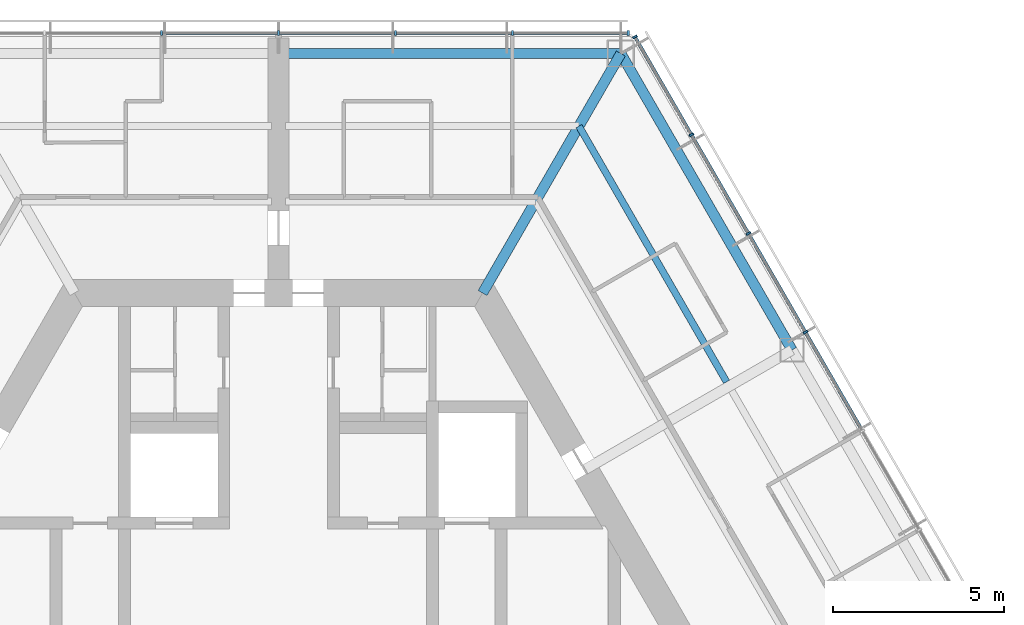
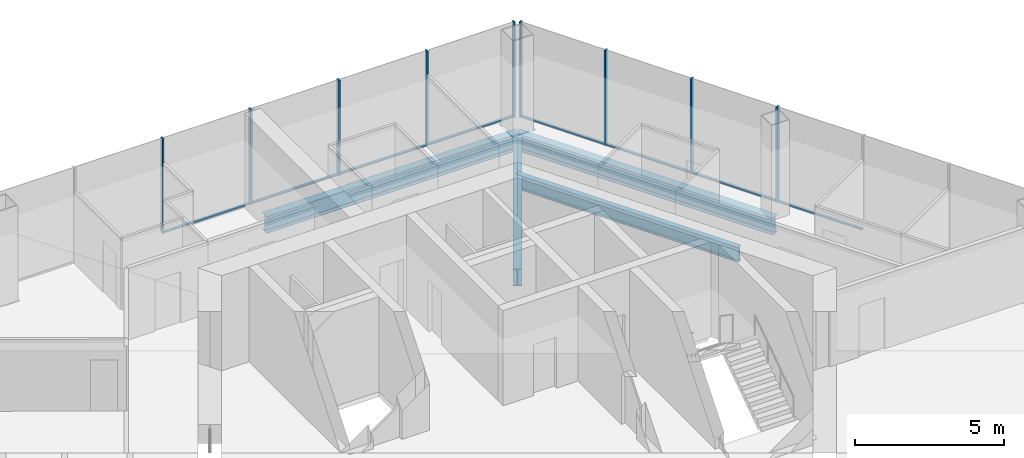
# One storey, part 7 of 14: 17 members, 4 beams, 2 elements without a shape of their own.
"""IFC4 building model written with IfcOpenShell, lengths in metres."""

from ifc_helpers import new_model, si_unit, direction, frame, origin, origin_2d, place, context, subcontext, project, spatial, rectangle, i_section, extrude, material, material_profile, profile_set, type_object, element, aggregate, save


model = new_model("IFC4")

# Units and contexts
model_context = context("Model", 3, precision=1e-05, world=origin(), true_north=direction((0.0, 1.0)))
body_context = subcontext(model_context, "Body", "Model", "MODEL_VIEW")
ifc_project = project(units=[si_unit("LENGTHUNIT", "METRE"), si_unit("AREAUNIT", "SQUARE_METRE"), si_unit("VOLUMEUNIT", "CUBIC_METRE"), si_unit("PLANEANGLEUNIT", "RADIAN"), si_unit("MASSUNIT", "GRAM", prefix="KILO")], contexts=[model_context])

# Site, building, storey
site_placement = place(None, origin())
site = spatial("IfcSite", under=ifc_project, at=site_placement, CompositionType="ELEMENT")
building_placement = place(site_placement, origin())
building = spatial("IfcBuilding", under=site, at=building_placement, Name="Kasaneha Research Tower", CompositionType="ELEMENT")
storey_placement = place(building_placement, frame((0.0, 0.0, 216.699951171875)))
storey = spatial("IfcBuildingStorey", under=building, at=storey_placement, Name="L54", CompositionType="ELEMENT", Elevation=216.699951171875)

# Beam
ifc_material_1 = material(Name="Steel SN490B", Category="steel")
ifc_material_profile_1 = material_profile(ifc_material_1, i_section(OverallWidth=0.199951171875, OverallDepth=0.60009765625, WebThickness=0.010986328125, FlangeThickness=0.01708984375, FilletRadius=0.012939453125, at=origin_2d()), Name="H-600x200x11x17")
ifc_profile_set_1 = profile_set([ifc_material_profile_1], Name="Steel SN490B")
beam_type_1 = type_object("IfcBeamType", Name="B1-3 secondary beam H-600x200x11x17", PredefinedType="JOIST", material=ifc_profile_set_1)
beam_1_placement = place(storey_placement, frame((8.775634765625, 15.199951171875, -0.449951171875), z_axis=(0.500017275495, -0.866015429543, 0.0), x_axis=(0.866015429543, 0.500017275495, 0.0)))
element("IfcBeam", 1, at=beam_1_placement, inside=storey, type_object=beam_type_1, Name="Secondary beam RS030R2 L54", PredefinedType="JOIST", context=body_context, shape_type="SweptSolid", body=[
    extrude(i_section(OverallWidth=0.199951171875, OverallDepth=0.60009765625, WebThickness=0.010986328125, FlangeThickness=0.01708984375, FilletRadius=0.012939453125, at=origin_2d()), origin(), (0.0, 0.0, 1.0), 8.625732421875),
])

# Curtain wall, members
ifc_material_2 = material(Name="Glass and aluminium", Category="aluminium")
curtain_wall_type = type_object("IfcCurtainWallType", Name="High-rise office curtain wall", PredefinedType="USERDEFINED", material=ifc_material_2)
curtain_wall_1_placement = place(storey_placement, origin())
curtain_wall_1 = element("IfcCurtainWall", 2, at=curtain_wall_1_placement, inside=storey, type_object=curtain_wall_type, Name="CW-O3 L54 run 01a", ObjectType="UNITISED CURTAIN WALL", PredefinedType="USERDEFINED")
ifc_material_3 = material(Name="Aluminium 6063-T6", Category="aluminium")
ifc_material_profile_2 = material_profile(ifc_material_3, rectangle(XDim=0.06005859375, YDim=0.139892578125, at=origin_2d()), Name="CW-O3 mullion 60x140")
ifc_profile_set_2 = profile_set([ifc_material_profile_2], Name="Aluminium 6063-T6")
member_type_1 = type_object("IfcMemberType", Name="CW-O3 mullion", PredefinedType="MULLION", material=ifc_profile_set_2)
member_1_placement = place(storey_placement, frame((15.392822265625, 9.179931640625, 0.0), z_axis=(0.0, 0.0, 1.0), x_axis=(-0.499999979232, 0.866025415775, 0.0)))
member_1 = element("IfcMember", 3, at=member_1_placement, type_object=member_type_1, Name="CW-O3 mullion 4", PredefinedType="MULLION", context=body_context, shape_type="SweptSolid", body=[
    extrude(rectangle(XDim=0.06005859375, YDim=0.139892578125, at=origin_2d()), origin(), (0.0, 0.0, 1.0), 3.900146484375),
])
member_2_placement = place(storey_placement, frame((13.727294921875, 12.064453125, 0.0), z_axis=(0.0, 0.0, 1.0), x_axis=(-0.499999979232, 0.866025415775, 0.0)))
member_2 = element("IfcMember", 4, at=member_2_placement, type_object=member_type_1, Name="CW-O3 mullion 5", PredefinedType="MULLION", context=body_context, shape_type="SweptSolid", body=[
    extrude(rectangle(XDim=0.06005859375, YDim=0.139892578125, at=origin_2d()), origin(), (0.0, 0.0, 1.0), 3.900146484375),
])
member_3_placement = place(storey_placement, frame((12.061767578125, 14.94921875, 0.0), z_axis=(0.0, 0.0, 1.0), x_axis=(-0.499999979232, 0.866025415775, 0.0)))
member_3 = element("IfcMember", 5, at=member_3_placement, type_object=member_type_1, Name="CW-O3 mullion 6", PredefinedType="MULLION", context=body_context, shape_type="SweptSolid", body=[
    extrude(rectangle(XDim=0.06005859375, YDim=0.139892578125, at=origin_2d()), origin(), (0.0, 0.0, 1.0), 3.900146484375),
])
member_4_placement = place(storey_placement, frame((10.411376953125, 17.807861328125, 0.0), z_axis=(0.0, 0.0, 1.0), x_axis=(-0.499999979232, 0.866025415775, 0.0)))
member_4 = element("IfcMember", 6, at=member_4_placement, type_object=member_type_1, Name="CW-O3 mullion 7", PredefinedType="MULLION", context=body_context, shape_type="SweptSolid", body=[
    extrude(rectangle(XDim=0.06005859375, YDim=0.139892578125, at=origin_2d()), origin(), (0.0, 0.0, 1.0), 3.900146484375),
])

curtain_wall_2_placement = place(storey_placement, origin())
curtain_wall_2 = element("IfcCurtainWall", 7, at=curtain_wall_2_placement, inside=storey, type_object=curtain_wall_type, Name="CW-O3 L54 run 02a", ObjectType="UNITISED CURTAIN WALL", PredefinedType="USERDEFINED")
member_5_placement = place(storey_placement, frame((10.21630859375, 17.92041015625, 0.0), z_axis=(0.0, 0.0, 1.0), x_axis=(-1.0, 0.0, 0.0)))
member_5 = element("IfcMember", 8, at=member_5_placement, type_object=member_type_1, Name="CW-O3 mullion 1", PredefinedType="MULLION", context=body_context, shape_type="SweptSolid", body=[
    extrude(rectangle(XDim=0.06005859375, YDim=0.139892578125, at=origin_2d()), origin(), (0.0, 0.0, 1.0), 3.900146484375),
])
member_6_placement = place(storey_placement, frame((6.8310546875, 17.92041015625, 0.0), z_axis=(0.0, 0.0, 1.0), x_axis=(-1.0, 0.0, 0.0)))
member_6 = element("IfcMember", 9, at=member_6_placement, type_object=member_type_1, Name="CW-O3 mullion 2", PredefinedType="MULLION", context=body_context, shape_type="SweptSolid", body=[
    extrude(rectangle(XDim=0.06005859375, YDim=0.139892578125, at=origin_2d()), origin(), (0.0, 0.0, 1.0), 3.900146484375),
])
member_7_placement = place(storey_placement, frame((3.41552734375, 17.92041015625, 0.0), z_axis=(0.0, 0.0, 1.0), x_axis=(-1.0, 0.0, 0.0)))
member_7 = element("IfcMember", 10, at=member_7_placement, type_object=member_type_1, Name="CW-O3 mullion 3", PredefinedType="MULLION", context=body_context, shape_type="SweptSolid", body=[
    extrude(rectangle(XDim=0.06005859375, YDim=0.139892578125, at=origin_2d()), origin(), (0.0, 0.0, 1.0), 3.900146484375),
])
member_8_placement = place(storey_placement, frame((0.0, 17.92041015625, 0.0), z_axis=(0.0, 0.0, 1.0), x_axis=(-1.0, 0.0, 0.0)))
member_8 = element("IfcMember", 11, at=member_8_placement, type_object=member_type_1, Name="CW-O3 mullion 4", PredefinedType="MULLION", context=body_context, shape_type="SweptSolid", body=[
    extrude(rectangle(XDim=0.06005859375, YDim=0.139892578125, at=origin_2d()), origin(), (0.0, 0.0, 1.0), 3.900146484375),
])
member_9_placement = place(storey_placement, frame((-3.41552734375, 17.92041015625, 0.0), z_axis=(0.0, 0.0, 1.0), x_axis=(-1.0, 0.0, 0.0)))
member_9 = element("IfcMember", 12, at=member_9_placement, type_object=member_type_1, Name="CW-O3 mullion 5", PredefinedType="MULLION", context=body_context, shape_type="SweptSolid", body=[
    extrude(rectangle(XDim=0.06005859375, YDim=0.139892578125, at=origin_2d()), origin(), (0.0, 0.0, 1.0), 3.900146484375),
])

# Member
ifc_material_4 = material(Name="Aluminium 6063-T6", Category="aluminium")
ifc_material_profile_3 = material_profile(ifc_material_4, rectangle(XDim=0.10009765625, YDim=0.06005859375, at=origin_2d()), Name="CW-O3 transom 100x60")
ifc_profile_set_3 = profile_set([ifc_material_profile_3], Name="Aluminium 6063-T6")
member_type_2 = type_object("IfcMemberType", Name="CW-O3 transom", PredefinedType="USERDEFINED", material=ifc_profile_set_3)
member_10_placement = place(storey_placement, frame((17.043212890625, 6.3212890625, 0.030029296875), z_axis=(-0.50003259116, 0.866006586452, 0.0), x_axis=(-0.866006586452, -0.50003259116, 0.0)))
member_10 = element("IfcMember", 13, at=member_10_placement, type_object=member_type_2, Name="CW-O3 transom 3", ObjectType="TRANSOM", PredefinedType="USERDEFINED", context=body_context, shape_type="SweptSolid", body=[
    extrude(rectangle(XDim=0.10009765625, YDim=0.06005859375, at=origin_2d()), origin(), (0.0, 0.0, 1.0), 3.270751953125),
])

member_11_placement = place(storey_placement, frame((15.3779296875, 9.205810546875, 0.030029296875), z_axis=(-0.500000270186, 0.866025247793, 0.0), x_axis=(-0.866025247793, -0.500000270186, 0.0)))
member_11 = element("IfcMember", 14, at=member_11_placement, type_object=member_type_2, Name="CW-O3 transom 4", ObjectType="TRANSOM", PredefinedType="USERDEFINED", context=body_context, shape_type="SweptSolid", body=[
    extrude(rectangle(XDim=0.10009765625, YDim=0.06005859375, at=origin_2d()), origin(), (0.0, 0.0, 1.0), 3.27099609375),
])

member_12_placement = place(storey_placement, frame((13.71240234375, 12.090576171875, 0.030029296875), z_axis=(-0.500000270186, 0.866025247793, 0.0), x_axis=(-0.866025247793, -0.500000270186, 0.0)))
member_12 = element("IfcMember", 15, at=member_12_placement, type_object=member_type_2, Name="CW-O3 transom 5", ObjectType="TRANSOM", PredefinedType="USERDEFINED", context=body_context, shape_type="SweptSolid", body=[
    extrude(rectangle(XDim=0.10009765625, YDim=0.06005859375, at=origin_2d()), origin(), (0.0, 0.0, 1.0), 3.27099609375),
])

member_13_placement = place(storey_placement, frame((12.046875, 14.97509765625, 0.030029296875), z_axis=(-0.499955025697, 0.866051368154, 0.0), x_axis=(-0.866051368154, -0.499955025697, 0.0)))
member_13 = element("IfcMember", 16, at=member_13_placement, type_object=member_type_2, Name="CW-O3 transom 6", ObjectType="TRANSOM", PredefinedType="USERDEFINED", context=body_context, shape_type="SweptSolid", body=[
    extrude(rectangle(XDim=0.10009765625, YDim=0.06005859375, at=origin_2d()), origin(), (0.0, 0.0, 1.0), 3.240966796875),
])

aggregate(curtain_wall_1, [member_1, member_2, member_3, member_4, member_10, member_11, member_12, member_13])

member_14_placement = place(storey_placement, frame((10.1865234375, 17.92041015625, 0.030029296875), z_axis=(-1.0, 0.0, 0.0), x_axis=(0.0, -1.0, 0.0)))
member_14 = element("IfcMember", 17, at=member_14_placement, type_object=member_type_2, Name="CW-O3 transom 1", ObjectType="TRANSOM", PredefinedType="USERDEFINED", context=body_context, shape_type="SweptSolid", body=[
    extrude(rectangle(XDim=0.10009765625, YDim=0.06005859375, at=origin_2d()), origin(), (0.0, 0.0, 1.0), 3.32568359375),
])

member_15_placement = place(storey_placement, frame((6.801025390625, 17.92041015625, 0.030029296875), z_axis=(-1.0, 0.0, 0.0), x_axis=(0.0, -1.0, 0.0)))
member_15 = element("IfcMember", 18, at=member_15_placement, type_object=member_type_2, Name="CW-O3 transom 2", ObjectType="TRANSOM", PredefinedType="USERDEFINED", context=body_context, shape_type="SweptSolid", body=[
    extrude(rectangle(XDim=0.10009765625, YDim=0.06005859375, at=origin_2d()), origin(), (0.0, 0.0, 1.0), 3.35546875),
])

member_16_placement = place(storey_placement, frame((3.385498046875, 17.92041015625, 0.030029296875), z_axis=(-1.0, 0.0, 0.0), x_axis=(0.0, -1.0, 0.0)))
member_16 = element("IfcMember", 19, at=member_16_placement, type_object=member_type_2, Name="CW-O3 transom 3", ObjectType="TRANSOM", PredefinedType="USERDEFINED", context=body_context, shape_type="SweptSolid", body=[
    extrude(rectangle(XDim=0.10009765625, YDim=0.06005859375, at=origin_2d()), origin(), (0.0, 0.0, 1.0), 3.35546875),
])

member_17_placement = place(storey_placement, frame((-0.030029296875, 17.92041015625, 0.030029296875), z_axis=(-1.0, 0.0, 0.0), x_axis=(0.0, -1.0, 0.0)))
member_17 = element("IfcMember", 20, at=member_17_placement, type_object=member_type_2, Name="CW-O3 transom 4", ObjectType="TRANSOM", PredefinedType="USERDEFINED", context=body_context, shape_type="SweptSolid", body=[
    extrude(rectangle(XDim=0.10009765625, YDim=0.06005859375, at=origin_2d()), origin(), (0.0, 0.0, 1.0), 3.35546875),
])

aggregate(curtain_wall_2, [member_5, member_6, member_7, member_8, member_9, member_14, member_15, member_16, member_17])

# Beams
ifc_material_5 = material(Name="Steel SN490B", Category="steel")
ifc_material_profile_4 = material_profile(ifc_material_5, i_section(OverallWidth=0.300048828125, OverallDepth=0.699951171875, WebThickness=0.012939453125, FlangeThickness=0.02392578125, FilletRadius=0.01806640625, at=origin_2d()), Name="H-700x300x13x24")
ifc_profile_set_4 = profile_set([ifc_material_profile_4], Name="Steel SN490B")
beam_type_2 = type_object("IfcBeamType", Name="G1-3 radial girder H-700x300x13x24", PredefinedType="BEAM", material=ifc_profile_set_4)
beam_2_placement = place(storey_placement, frame((5.961181640625, 10.324951171875, -0.5), z_axis=(0.49999105496, 0.866030568144, 0.0), x_axis=(-0.866030568144, 0.49999105496, 0.0)))
element("IfcBeam", 21, at=beam_2_placement, inside=storey, type_object=beam_type_2, Name="Radial girder RV060 L54", PredefinedType="BEAM", context=body_context, shape_type="SweptSolid", body=[
    extrude(i_section(OverallWidth=0.300048828125, OverallDepth=0.699951171875, WebThickness=0.012939453125, FlangeThickness=0.02392578125, FilletRadius=0.01806640625, at=origin_2d()), origin(), (0.0, 0.0, 1.0), 8.077880859375),
])
ifc_material_6 = material(Name="Steel SN490B", Category="steel")
ifc_material_profile_5 = material_profile(ifc_material_6, i_section(OverallWidth=0.300048828125, OverallDepth=0.69189453125, WebThickness=0.012939453125, FlangeThickness=0.02001953125, FilletRadius=0.01806640625, at=origin_2d()), Name="H-692x300x13x20")
ifc_profile_set_5 = profile_set([ifc_material_profile_5], Name="Steel SN490B")
beam_type_3 = type_object("IfcBeamType", Name="G3-3 plate edge girder H-692x300x13x20", PredefinedType="BEAM", material=ifc_profile_set_5)
beam_3_placement = place(storey_placement, frame((10.0, 17.320556640625, -0.495849609375), z_axis=(-1.0, 0.0, 0.0), x_axis=(0.0, -1.0, 0.0)))
element("IfcBeam", 22, at=beam_3_placement, inside=storey, type_object=beam_type_3, Name="Plate edge girder PEAP L54", PredefinedType="BEAM", context=body_context, shape_type="SweptSolid", body=[
    extrude(i_section(OverallWidth=0.300048828125, OverallDepth=0.69189453125, WebThickness=0.012939453125, FlangeThickness=0.02001953125, FilletRadius=0.01806640625, at=origin_2d()), origin(), (0.0, 0.0, 1.0), 9.800048828125),
])
ifc_material_7 = material(Name="Steel SN490B", Category="steel")
ifc_material_profile_6 = material_profile(ifc_material_7, i_section(OverallWidth=0.300048828125, OverallDepth=0.69189453125, WebThickness=0.012939453125, FlangeThickness=0.02001953125, FilletRadius=0.01806640625, at=origin_2d()), Name="H-692x300x13x20")
ifc_profile_set_6 = profile_set([ifc_material_profile_6], Name="Steel SN490B")
beam_type_4 = type_object("IfcBeamType", Name="SB1-3 spandrel beam H-692x300x13x20", PredefinedType="SPANDREL", material=ifc_profile_set_6)
beam_4_placement = place(storey_placement, frame((10.0, 17.320556640625, -0.495849609375), z_axis=(0.499993662806, -0.866029062534, 0.0), x_axis=(0.866029062534, 0.499993662806, 0.0)))
element("IfcBeam", 23, at=beam_4_placement, inside=storey, type_object=beam_type_4, Name="Spandrel beam SR030R L54", PredefinedType="SPANDREL", context=body_context, shape_type="SweptSolid", body=[
    extrude(i_section(OverallWidth=0.300048828125, OverallDepth=0.69189453125, WebThickness=0.012939453125, FlangeThickness=0.02001953125, FilletRadius=0.01806640625, at=origin_2d()), origin(), (0.0, 0.0, 1.0), 10.000244140625),
])

save(model, "model.ifc")
